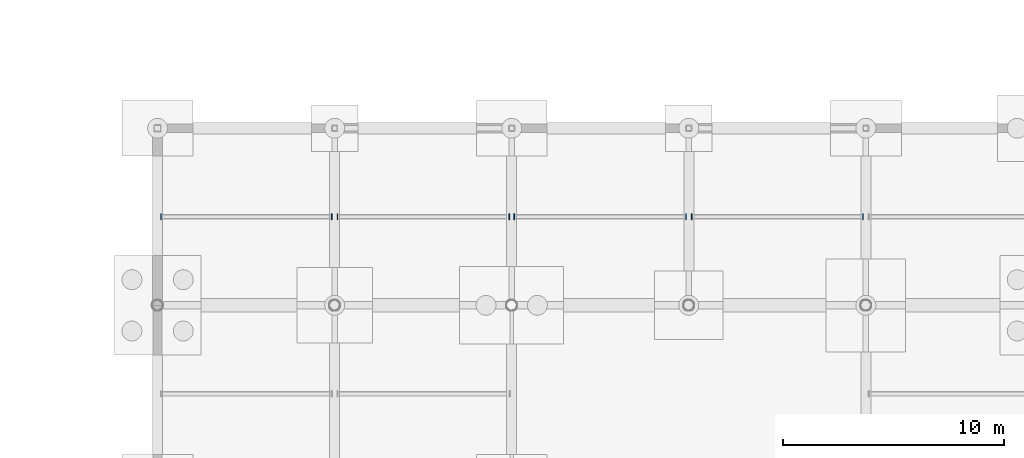
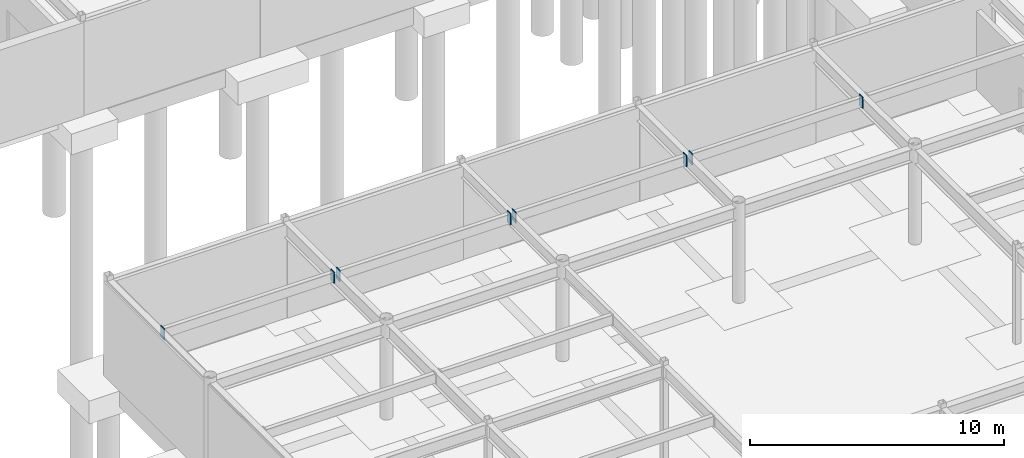
# One storey, part 66 of 105: 8 discrete accessories.
"""IFC4 building model written with IfcOpenShell, lengths in metres."""

from ifc_helpers import new_model, si_unit, direction, frame, origin, origin_2d, place, context, subcontext, project, spatial, rectangle, extrude, material, layer, layer_set, type_object, element, save


model = new_model("IFC4")

# Units and contexts
model_context = context("Model", 3, precision=1e-05, world=origin(), true_north=direction((0.0, 1.0)))
body_context = subcontext(model_context, "Body", "Model", "MODEL_VIEW")
ifc_project = project(units=[si_unit("LENGTHUNIT", "METRE"), si_unit("AREAUNIT", "SQUARE_METRE"), si_unit("VOLUMEUNIT", "CUBIC_METRE"), si_unit("PLANEANGLEUNIT", "RADIAN"), si_unit("MASSUNIT", "GRAM", prefix="KILO")], contexts=[model_context])

# Site, building, storey
site_placement = place(None, origin())
site = spatial("IfcSite", under=ifc_project, at=site_placement, CompositionType="ELEMENT")
building_placement = place(site_placement, origin())
building = spatial("IfcBuilding", under=site, at=building_placement, Name="Solmirada Galleria", CompositionType="ELEMENT")
storey_placement = place(building_placement, frame((0.0, 0.0, -4.800048828125)))
storey = spatial("IfcBuildingStorey", under=building, at=storey_placement, Name="B1", CompositionType="ELEMENT", Elevation=-4.800048828125)

# Discrete accessories
ifc_material = material(Name="Steel S355 / ASTM A572 Grade 50", Category="steel")
ifc_layer = layer(ifc_material, 0.031982421875)
ifc_layer_set = layer_set([ifc_layer], Name="Steel S355 / ASTM A572 Grade 50")
discrete_accessory_type = type_object("IfcDiscreteAccessoryType", Name="ACC-COL-CAP", PredefinedType="BRACKET", material=ifc_layer_set)
for number, where, z_axis, x_axis, name in (
    (1, (40.152587890625, 36.0, 4.08154296875), (0.0, 0.0, 1.0), (1.0, 0.0, 0.0), "Hollow joist end plate L00-06-05-L"),
    (2, (47.8720703125, 36.0, 4.08154296875), (0.0, 0.0, 1.0), (1.0, 0.0, 0.0), "Hollow joist end plate L00-06-05-R"),
    (3, (48.1279296875, 36.0, 4.08154296875), (0.0, 0.0, 1.0), (1.0, 0.0, 0.0), "Hollow joist end plate L00-07-05-L"),
    (4, (55.885986328125, 36.0, 4.08154296875), (0.0, 0.0, 1.0), (1.0, 0.0, 0.0), "Hollow joist end plate L00-07-05-R"),
    (5, (56.114013671875, 36.0, 4.08154296875), (0.0, 0.0, 1.0), (1.0, 0.0, 0.0), "Hollow joist end plate L00-08-05-L"),
    (6, (63.873046875, 36.0, 4.08154296875), (0.0, 0.0, 1.0), (1.0, 0.0, 0.0), "Hollow joist end plate L00-08-05-R"),
    (7, (64.126953125, 36.0, 4.08154296875), (0.0, 0.0, 1.0), (1.0, 0.0, 0.0), "Hollow joist end plate L00-09-05-L"),
    (8, (71.8720703125, 36.0, 4.08154296875), (0.0, 0.0, 1.0), (1.0, 0.0, 0.0), "Hollow joist end plate L00-09-05-R"),
):
    element("IfcDiscreteAccessory", number, at=place(storey_placement, frame(where, z_axis=z_axis, x_axis=x_axis)), inside=storey, type_object=discrete_accessory_type, Name=name, PredefinedType="BRACKET", context=body_context, shape_type="SweptSolid", body=[
        extrude(rectangle(XDim=0.035888671875, YDim=0.280029296875, at=origin_2d()), origin(), (0.0, 0.0, 1.0), 0.5400390625),
    ])

save(model, "model.ifc")
